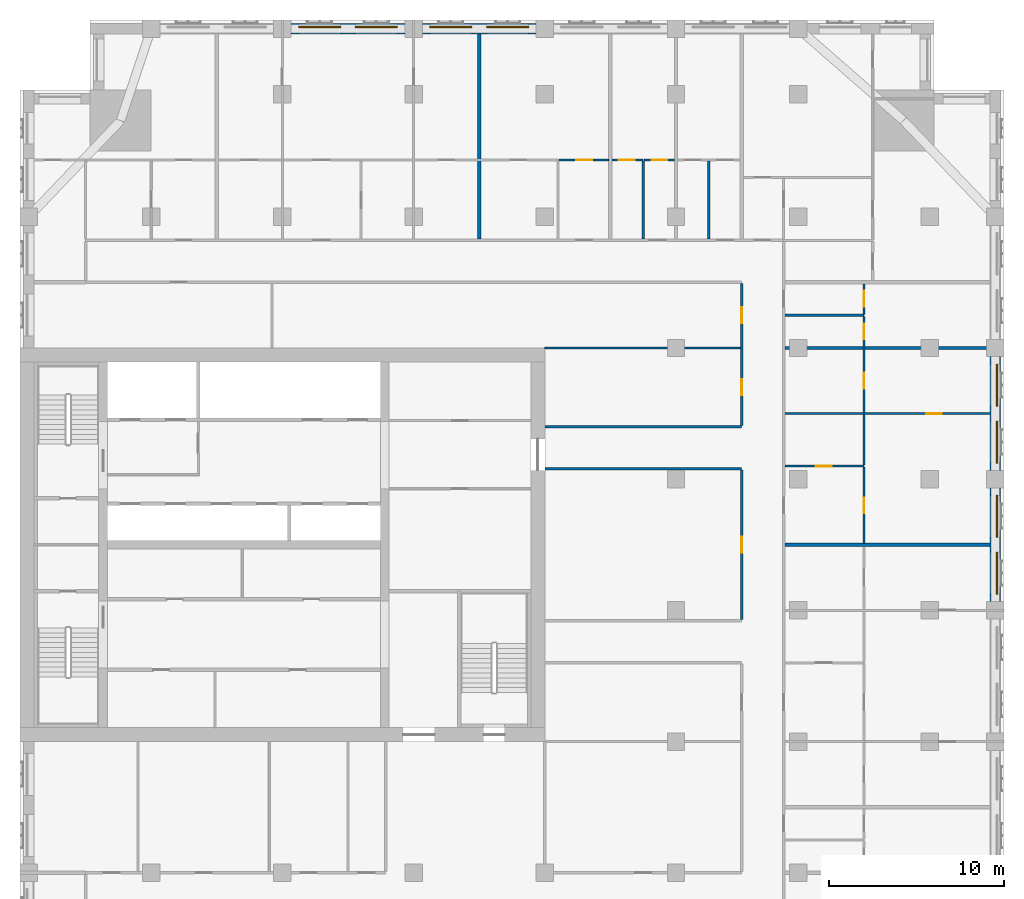
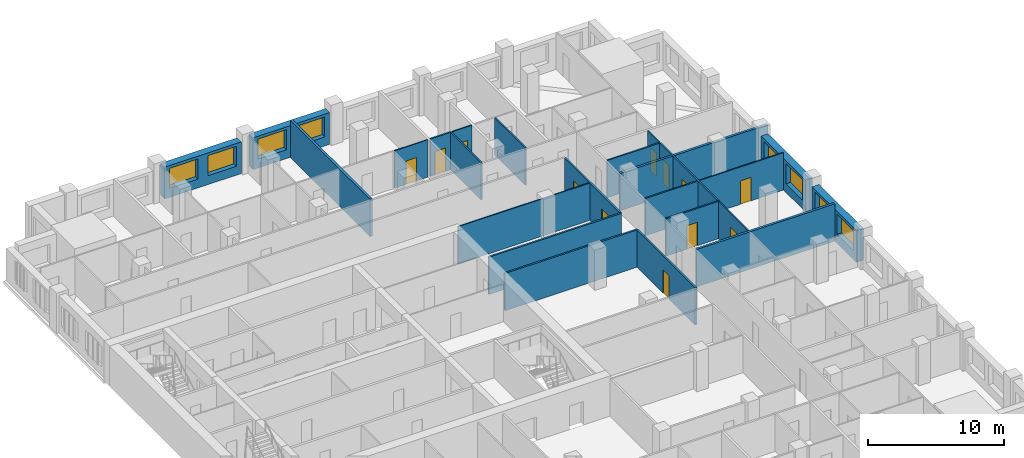
# One storey, part 10 of 14: 24 walls, 12 doors, 8 windows, 20 openings.
"""IFC4 building model written with IfcOpenShell, lengths in metres."""

from ifc_helpers import new_model, si_unit, direction, frame, frame_2d, origin, place, context, subcontext, project, spatial, rectangle, extrude, material, layer, layer_set, type_object, element, fill, save


model = new_model("IFC4")

# Units and contexts
model_context = context("Model", 3, precision=1e-05, world=origin(), true_north=direction((0.0, 1.0)))
body_context = subcontext(model_context, "Body", "Model", "MODEL_VIEW")
ifc_project = project(units=[si_unit("LENGTHUNIT", "METRE"), si_unit("AREAUNIT", "SQUARE_METRE"), si_unit("VOLUMEUNIT", "CUBIC_METRE"), si_unit("PLANEANGLEUNIT", "RADIAN"), si_unit("MASSUNIT", "GRAM", prefix="KILO")], contexts=[model_context])

# Site, building, storey
site_placement = place(None, origin())
site = spatial("IfcSite", under=ifc_project, at=site_placement, CompositionType="ELEMENT")
building_placement = place(site_placement, origin())
building = spatial("IfcBuilding", under=site, at=building_placement, Name="Tamorin Gate", CompositionType="ELEMENT")
storey_placement = place(building_placement, frame((0.0, 0.0, 151.800048828125)))
storey = spatial("IfcBuildingStorey", under=building, at=storey_placement, Name="L37", CompositionType="ELEMENT", Elevation=151.800048828125)

# Wall, openings, windows
ifc_material_1 = material(Name="Precast concrete C40/50", Category="concrete")
ifc_layer_1 = layer(ifc_material_1, 0.60009765625)
ifc_layer_set_1 = layer_set([ifc_layer_1], Name="Precast concrete C40/50")
wall_type_1 = type_object("IfcWallType", Name="Board-marked concrete facade panel 600", PredefinedType="SOLIDWALL", material=ifc_layer_set_1)
wall_1_placement = place(storey_placement, frame((85.75, 68.0, 0.0), z_axis=(0.0, 0.0, 1.0), x_axis=(0.0, 1.0, 0.0)))
wall_1 = element("IfcWall", 1, at=wall_1_placement, inside=storey, type_object=wall_type_1, Name="Facade panel", PredefinedType="SOLIDWALL", context=body_context, shape_type="SweptSolid", body=[
    extrude(rectangle(XDim=6.5, YDim=0.60009765625, at=frame_2d((3.25, 0.0))), origin(), (0.0, 0.0, 1.0), 2.849853515625),
])
opening_1_placement = place(wall_1_placement, frame((0.425048828125, 0.0, 0.800048828125)))
opening_1 = element("IfcOpeningElement", 2, at=opening_1_placement, cuts=wall_1, Name="Opening WN1", PredefinedType="OPENING", context=body_context, shape_type="SweptSolid", body=[
    extrude(rectangle(XDim=2.39990234375, YDim=1.800048828125, at=frame_2d((1.199951171875, 0.89990234375))), frame((0.0, 0.31005859375, 0.0), z_axis=(0.0, -1.0, 0.0), x_axis=(1.0, 0.0, 0.0)), (0.0, 0.0, 1.0), 0.6201171875),
])
opening_2_placement = place(wall_1_placement, frame((3.675048828125, 0.0, 0.800048828125)))
opening_2 = element("IfcOpeningElement", 3, at=opening_2_placement, cuts=wall_1, Name="Opening WN1", PredefinedType="OPENING", context=body_context, shape_type="SweptSolid", body=[
    extrude(rectangle(XDim=2.39990234375, YDim=1.800048828125, at=frame_2d((1.199951171875, 0.89990234375))), frame((0.0, 0.31005859375, 0.0), z_axis=(0.0, -1.0, 0.0), x_axis=(1.0, 0.0, 0.0)), (0.0, 0.0, 1.0), 0.6201171875),
])
ifc_material_2 = material(Name="Clear glass in aluminium frame", Category="aluminium")
window_type = type_object("IfcWindowType", Name="Deep-set window 2400x1800", PartitioningType="SINGLE_PANEL", PredefinedType="WINDOW", material=ifc_material_2)
window_1_placement = place(opening_1_placement, origin())
window_1 = element("IfcWindow", 4, at=window_1_placement, inside=storey, type_object=window_type, Name="Deep-set window", OverallHeight=1.800048828125, OverallWidth=2.39990234375, PartitioningType="SINGLE_PANEL", PredefinedType="WINDOW", context=body_context, shape_type="SweptSolid", body=[
    extrude(rectangle(XDim=2.39990234375, YDim=1.800048828125, at=frame_2d((1.199951171875, 0.89990234375))), frame((0.0, -0.070068359375, 0.0), z_axis=(0.0, -1.0, 0.0), x_axis=(1.0, 0.0, 0.0)), (0.0, 0.0, 1.0), 0.06005859375),
])
fill(opening_1, window_1)
window_2_placement = place(opening_2_placement, origin())
window_2 = element("IfcWindow", 5, at=window_2_placement, inside=storey, type_object=window_type, Name="Deep-set window", OverallHeight=1.800048828125, OverallWidth=2.39990234375, PartitioningType="SINGLE_PANEL", PredefinedType="WINDOW", context=body_context, shape_type="SweptSolid", body=[
    extrude(rectangle(XDim=2.39990234375, YDim=1.800048828125, at=frame_2d((1.199951171875, 0.89990234375))), frame((0.0, -0.070068359375, 0.0), z_axis=(0.0, -1.0, 0.0), x_axis=(1.0, 0.0, 0.0)), (0.0, 0.0, 1.0), 0.06005859375),
])
fill(opening_2, window_2)

wall_2_placement = place(storey_placement, frame((85.75, 75.5, 0.0), z_axis=(0.0, 0.0, 1.0), x_axis=(0.0, 1.0, 0.0)))
wall_2 = element("IfcWall", 6, at=wall_2_placement, inside=storey, type_object=wall_type_1, Name="Facade panel", PredefinedType="SOLIDWALL", context=body_context, shape_type="SweptSolid", body=[
    extrude(rectangle(XDim=6.5, YDim=0.60009765625, at=frame_2d((3.25, 0.0))), origin(), (0.0, 0.0, 1.0), 2.849853515625),
])
opening_3_placement = place(wall_2_placement, frame((0.425048828125, 0.0, 0.800048828125)))
opening_3 = element("IfcOpeningElement", 7, at=opening_3_placement, cuts=wall_2, Name="Opening WN1", PredefinedType="OPENING", context=body_context, shape_type="SweptSolid", body=[
    extrude(rectangle(XDim=2.39990234375, YDim=1.800048828125, at=frame_2d((1.199951171875, 0.89990234375))), frame((0.0, 0.31005859375, 0.0), z_axis=(0.0, -1.0, 0.0), x_axis=(1.0, 0.0, 0.0)), (0.0, 0.0, 1.0), 0.6201171875),
])
opening_4_placement = place(wall_2_placement, frame((3.675048828125, 0.0, 0.800048828125)))
opening_4 = element("IfcOpeningElement", 8, at=opening_4_placement, cuts=wall_2, Name="Opening WN1", PredefinedType="OPENING", context=body_context, shape_type="SweptSolid", body=[
    extrude(rectangle(XDim=2.39990234375, YDim=1.800048828125, at=frame_2d((1.199951171875, 0.89990234375))), frame((0.0, 0.31005859375, 0.0), z_axis=(0.0, -1.0, 0.0), x_axis=(1.0, 0.0, 0.0)), (0.0, 0.0, 1.0), 0.6201171875),
])
window_3_placement = place(opening_3_placement, origin())
window_3 = element("IfcWindow", 9, at=window_3_placement, inside=storey, type_object=window_type, Name="Deep-set window", OverallHeight=1.800048828125, OverallWidth=2.39990234375, PartitioningType="SINGLE_PANEL", PredefinedType="WINDOW", context=body_context, shape_type="SweptSolid", body=[
    extrude(rectangle(XDim=2.39990234375, YDim=1.800048828125, at=frame_2d((1.199951171875, 0.89990234375))), frame((0.0, -0.070068359375, 0.0), z_axis=(0.0, -1.0, 0.0), x_axis=(1.0, 0.0, 0.0)), (0.0, 0.0, 1.0), 0.06005859375),
])
fill(opening_3, window_3)
window_4_placement = place(opening_4_placement, origin())
window_4 = element("IfcWindow", 10, at=window_4_placement, inside=storey, type_object=window_type, Name="Deep-set window", OverallHeight=1.800048828125, OverallWidth=2.39990234375, PartitioningType="SINGLE_PANEL", PredefinedType="WINDOW", context=body_context, shape_type="SweptSolid", body=[
    extrude(rectangle(XDim=2.39990234375, YDim=1.800048828125, at=frame_2d((1.199951171875, 0.89990234375))), frame((0.0, -0.070068359375, 0.0), z_axis=(0.0, -1.0, 0.0), x_axis=(1.0, 0.0, 0.0)), (0.0, 0.0, 1.0), 0.06005859375),
])
fill(opening_4, window_4)

wall_3_placement = place(storey_placement, frame((59.5, 100.75, 0.0), z_axis=(0.0, 0.0, 1.0), x_axis=(-1.0, 0.0, 0.0)))
wall_3 = element("IfcWall", 11, at=wall_3_placement, inside=storey, type_object=wall_type_1, Name="Facade panel", PredefinedType="SOLIDWALL", context=body_context, shape_type="SweptSolid", body=[
    extrude(rectangle(XDim=6.5, YDim=0.60009765625, at=frame_2d((3.25, 0.0))), origin(), (0.0, 0.0, 1.0), 2.849853515625),
])
opening_5_placement = place(wall_3_placement, frame((3.675048828125, 0.0, 0.800048828125)))
opening_5 = element("IfcOpeningElement", 12, at=opening_5_placement, cuts=wall_3, Name="Opening WN1", PredefinedType="OPENING", context=body_context, shape_type="SweptSolid", body=[
    extrude(rectangle(XDim=2.39990234375, YDim=1.800048828125, at=frame_2d((1.199951171875, 0.89990234375))), frame((0.0, 0.31005859375, 0.0), z_axis=(0.0, -1.0, 0.0), x_axis=(1.0, 0.0, 0.0)), (0.0, 0.0, 1.0), 0.6201171875),
])
opening_6_placement = place(wall_3_placement, frame((0.425048828125, 0.0, 0.800048828125)))
opening_6 = element("IfcOpeningElement", 13, at=opening_6_placement, cuts=wall_3, Name="Opening WN1", PredefinedType="OPENING", context=body_context, shape_type="SweptSolid", body=[
    extrude(rectangle(XDim=2.39990234375, YDim=1.800048828125, at=frame_2d((1.199951171875, 0.89990234375))), frame((0.0, 0.31005859375, 0.0), z_axis=(0.0, -1.0, 0.0), x_axis=(1.0, 0.0, 0.0)), (0.0, 0.0, 1.0), 0.6201171875),
])
window_5_placement = place(opening_5_placement, origin())
window_5 = element("IfcWindow", 14, at=window_5_placement, inside=storey, type_object=window_type, Name="Deep-set window", OverallHeight=1.800048828125, OverallWidth=2.39990234375, PartitioningType="SINGLE_PANEL", PredefinedType="WINDOW", context=body_context, shape_type="SweptSolid", body=[
    extrude(rectangle(XDim=2.39990234375, YDim=1.800048828125, at=frame_2d((1.199951171875, 0.89990234375))), frame((0.0, -0.070068359375, 0.0), z_axis=(0.0, -1.0, 0.0), x_axis=(1.0, 0.0, 0.0)), (0.0, 0.0, 1.0), 0.06005859375),
])
fill(opening_5, window_5)
window_6_placement = place(opening_6_placement, origin())
window_6 = element("IfcWindow", 15, at=window_6_placement, inside=storey, type_object=window_type, Name="Deep-set window", OverallHeight=1.800048828125, OverallWidth=2.39990234375, PartitioningType="SINGLE_PANEL", PredefinedType="WINDOW", context=body_context, shape_type="SweptSolid", body=[
    extrude(rectangle(XDim=2.39990234375, YDim=1.800048828125, at=frame_2d((1.199951171875, 0.89990234375))), frame((0.0, -0.070068359375, 0.0), z_axis=(0.0, -1.0, 0.0), x_axis=(1.0, 0.0, 0.0)), (0.0, 0.0, 1.0), 0.06005859375),
])
fill(opening_6, window_6)

wall_4_placement = place(storey_placement, frame((52.0, 100.75, 0.0), z_axis=(0.0, 0.0, 1.0), x_axis=(-1.0, 0.0, 0.0)))
wall_4 = element("IfcWall", 16, at=wall_4_placement, inside=storey, type_object=wall_type_1, Name="Facade panel", PredefinedType="SOLIDWALL", context=body_context, shape_type="SweptSolid", body=[
    extrude(rectangle(XDim=6.5, YDim=0.60009765625, at=frame_2d((3.25, 0.0))), origin(), (0.0, 0.0, 1.0), 2.849853515625),
])
opening_7_placement = place(wall_4_placement, frame((3.675048828125, 0.0, 0.800048828125)))
opening_7 = element("IfcOpeningElement", 17, at=opening_7_placement, cuts=wall_4, Name="Opening WN1", PredefinedType="OPENING", context=body_context, shape_type="SweptSolid", body=[
    extrude(rectangle(XDim=2.39990234375, YDim=1.800048828125, at=frame_2d((1.199951171875, 0.89990234375))), frame((0.0, 0.31005859375, 0.0), z_axis=(0.0, -1.0, 0.0), x_axis=(1.0, 0.0, 0.0)), (0.0, 0.0, 1.0), 0.6201171875),
])
opening_8_placement = place(wall_4_placement, frame((0.425048828125, 0.0, 0.800048828125)))
opening_8 = element("IfcOpeningElement", 18, at=opening_8_placement, cuts=wall_4, Name="Opening WN1", PredefinedType="OPENING", context=body_context, shape_type="SweptSolid", body=[
    extrude(rectangle(XDim=2.39990234375, YDim=1.800048828125, at=frame_2d((1.199951171875, 0.89990234375))), frame((0.0, 0.31005859375, 0.0), z_axis=(0.0, -1.0, 0.0), x_axis=(1.0, 0.0, 0.0)), (0.0, 0.0, 1.0), 0.6201171875),
])
window_7_placement = place(opening_7_placement, origin())
window_7 = element("IfcWindow", 19, at=window_7_placement, inside=storey, type_object=window_type, Name="Deep-set window", OverallHeight=1.800048828125, OverallWidth=2.39990234375, PartitioningType="SINGLE_PANEL", PredefinedType="WINDOW", context=body_context, shape_type="SweptSolid", body=[
    extrude(rectangle(XDim=2.39990234375, YDim=1.800048828125, at=frame_2d((1.199951171875, 0.89990234375))), frame((0.0, -0.070068359375, 0.0), z_axis=(0.0, -1.0, 0.0), x_axis=(1.0, 0.0, 0.0)), (0.0, 0.0, 1.0), 0.06005859375),
])
fill(opening_7, window_7)
window_8_placement = place(opening_8_placement, origin())
window_8 = element("IfcWindow", 20, at=window_8_placement, inside=storey, type_object=window_type, Name="Deep-set window", OverallHeight=1.800048828125, OverallWidth=2.39990234375, PartitioningType="SINGLE_PANEL", PredefinedType="WINDOW", context=body_context, shape_type="SweptSolid", body=[
    extrude(rectangle(XDim=2.39990234375, YDim=1.800048828125, at=frame_2d((1.199951171875, 0.89990234375))), frame((0.0, -0.070068359375, 0.0), z_axis=(0.0, -1.0, 0.0), x_axis=(1.0, 0.0, 0.0)), (0.0, 0.0, 1.0), 0.06005859375),
])
fill(opening_8, window_8)

# Wall, opening, door
ifc_material_3 = material(Name="Gypsum board partition")
ifc_layer_2 = layer(ifc_material_3, 0.14990234375)
ifc_layer_set_2 = layer_set([ifc_layer_2], Name="Corridor wall 150")
wall_type_2 = type_object("IfcWallType", Name="Corridor wall 150", PredefinedType="PARTITIONING", material=ifc_layer_set_2)
wall_5_placement = place(storey_placement, frame((71.25, 66.97509765625, 0.0), z_axis=(0.0, 0.0, 1.0), x_axis=(0.0, 1.0, 0.0)))
wall_5 = element("IfcWall", 21, at=wall_5_placement, inside=storey, type_object=wall_type_2, Name="Corridor wall 150", PredefinedType="PARTITIONING", context=body_context, shape_type="SweptSolid", body=[
    extrude(rectangle(XDim=8.5498046875, YDim=0.14990234375, at=frame_2d((4.27490234375, 0.0))), origin(), (0.0, 0.0, 1.0), 3.349853515625),
])
opening_9_placement = place(wall_5_placement, frame((3.824951171875, 0.0, 0.0)))
opening_9 = element("IfcOpeningElement", 22, at=opening_9_placement, cuts=wall_5, Name="Opening DS3076", PredefinedType="OPENING", context=body_context, shape_type="SweptSolid", body=[
    extrude(rectangle(XDim=0.89990234375, YDim=2.10009765625, at=frame_2d((0.449951171875, 1.050048828125))), frame((0.0, 0.0849609375, 0.0), z_axis=(0.0, -1.0, 0.0), x_axis=(1.0, 0.0, 0.0)), (0.0, 0.0, 1.0), 0.169921875),
])
ifc_material_4 = material(Name="Timber door leaf", Category="wood")
door_type_1 = type_object("IfcDoorType", Name="Door 900 x 2100 FD30S", OperationType="NOTDEFINED", PredefinedType="DOOR", material=ifc_material_4)
door_1_placement = place(opening_9_placement, origin())
door_1 = element("IfcDoor", 23, at=door_1_placement, inside=storey, type_object=door_type_1, Name="Door DS3076", OperationType="SINGLE_SWING_LEFT", OverallHeight=2.10009765625, OverallWidth=0.89990234375, PredefinedType="DOOR", context=body_context, shape_type="SweptSolid", body=[
    extrude(rectangle(XDim=0.89990234375, YDim=2.10009765625, at=frame_2d((0.449951171875, 1.050048828125))), frame((0.0, 0.02490234375, 0.0), z_axis=(0.0, -1.0, 0.0), x_axis=(1.0, 0.0, 0.0)), (0.0, 0.0, 1.0), 0.050048828125),
])
fill(opening_9, door_1)

# Wall, openings, doors
wall_6_placement = place(storey_placement, frame((71.25, 78.074951171875, 0.0), z_axis=(0.0, 0.0, 1.0), x_axis=(0.0, 1.0, 0.0)))
wall_6 = element("IfcWall", 24, at=wall_6_placement, inside=storey, type_object=wall_type_2, Name="Corridor wall 150", PredefinedType="PARTITIONING", context=body_context, shape_type="SweptSolid", body=[
    extrude(rectangle(XDim=8.10009765625, YDim=0.14990234375, at=frame_2d((4.050048828125, 0.0))), origin(), (0.0, 0.0, 1.0), 3.349853515625),
])
opening_10_placement = place(wall_6_placement, frame((5.85009765625, 0.0, 0.0)))
opening_10 = element("IfcOpeningElement", 25, at=opening_10_placement, cuts=wall_6, Name="Opening DS3074", PredefinedType="OPENING", context=body_context, shape_type="SweptSolid", body=[
    extrude(rectangle(XDim=0.89990234375, YDim=2.10009765625, at=frame_2d((0.449951171875, 1.050048828125))), frame((0.0, 0.0849609375, 0.0), z_axis=(0.0, -1.0, 0.0), x_axis=(1.0, 0.0, 0.0)), (0.0, 0.0, 1.0), 0.169921875),
])
opening_11_placement = place(wall_6_placement, frame((1.72509765625, 0.0, 0.0)))
opening_11 = element("IfcOpeningElement", 26, at=opening_11_placement, cuts=wall_6, Name="Opening DS3077", PredefinedType="OPENING", context=body_context, shape_type="SweptSolid", body=[
    extrude(rectangle(XDim=0.89990234375, YDim=2.10009765625, at=frame_2d((0.449951171875, 1.050048828125))), frame((0.0, 0.0849609375, 0.0), z_axis=(0.0, -1.0, 0.0), x_axis=(1.0, 0.0, 0.0)), (0.0, 0.0, 1.0), 0.169921875),
])
door_2_placement = place(opening_10_placement, origin())
door_2 = element("IfcDoor", 27, at=door_2_placement, inside=storey, type_object=door_type_1, Name="Door DS3074", OperationType="SINGLE_SWING_LEFT", OverallHeight=2.10009765625, OverallWidth=0.89990234375, PredefinedType="DOOR", context=body_context, shape_type="SweptSolid", body=[
    extrude(rectangle(XDim=0.89990234375, YDim=2.10009765625, at=frame_2d((0.449951171875, 1.050048828125))), frame((0.0, 0.02490234375, 0.0), z_axis=(0.0, -1.0, 0.0), x_axis=(1.0, 0.0, 0.0)), (0.0, 0.0, 1.0), 0.050048828125),
])
fill(opening_10, door_2)
door_3_placement = place(opening_11_placement, origin())
door_3 = element("IfcDoor", 28, at=door_3_placement, inside=storey, type_object=door_type_1, Name="Door DS3077", OperationType="SINGLE_SWING_LEFT", OverallHeight=2.10009765625, OverallWidth=0.89990234375, PredefinedType="DOOR", context=body_context, shape_type="SweptSolid", body=[
    extrude(rectangle(XDim=0.89990234375, YDim=2.10009765625, at=frame_2d((0.449951171875, 1.050048828125))), frame((0.0, 0.02490234375, 0.0), z_axis=(0.0, -1.0, 0.0), x_axis=(1.0, 0.0, 0.0)), (0.0, 0.0, 1.0), 0.050048828125),
])
fill(opening_11, door_3)

# Walls
ifc_layer_3 = layer(ifc_material_3, 0.199951171875)
ifc_layer_set_3 = layer_set([ifc_layer_3], Name="Demising wall 200")
wall_type_3 = type_object("IfcWallType", Name="Demising wall 200", PredefinedType="PARTITIONING", material=ifc_layer_set_3)
wall_7_placement = place(storey_placement, frame((73.72509765625, 71.25, 0.0), z_axis=(0.0, 0.0, 1.0), x_axis=(1.0, 0.0, 0.0)))
element("IfcWall", 29, at=wall_7_placement, inside=storey, type_object=wall_type_3, Name="Demising wall 200", PredefinedType="PARTITIONING", context=body_context, shape_type="SweptSolid", body=[
    extrude(rectangle(XDim=11.71484375, YDim=0.199951171875, at=frame_2d((5.857421875, 0.0))), origin(), (0.0, 0.0, 1.0), 3.349853515625),
])
wall_8_placement = place(storey_placement, frame((73.72509765625, 82.5, 0.0), z_axis=(0.0, 0.0, 1.0), x_axis=(1.0, 0.0, 0.0)))
element("IfcWall", 30, at=wall_8_placement, inside=storey, type_object=wall_type_3, Name="Demising wall 200", PredefinedType="PARTITIONING", context=body_context, shape_type="SweptSolid", body=[
    extrude(rectangle(XDim=12.52490234375, YDim=0.199951171875, at=frame_2d((6.262451171875, 0.0))), origin(), (0.0, 0.0, 1.0), 3.349853515625),
])
wall_9_placement = place(storey_placement, frame((56.25, 88.72509765625, 0.0), z_axis=(0.0, 0.0, 1.0), x_axis=(0.0, 1.0, 0.0)))
element("IfcWall", 31, at=wall_9_placement, inside=storey, type_object=wall_type_3, Name="Demising wall 200", PredefinedType="PARTITIONING", context=body_context, shape_type="SweptSolid", body=[
    extrude(rectangle(XDim=11.71484375, YDim=0.199951171875, at=frame_2d((5.857421875, 0.0))), origin(), (0.0, 0.0, 1.0), 3.349853515625),
])
ifc_layer_4 = layer(ifc_material_3, 0.14990234375)
ifc_layer_set_4 = layer_set([ifc_layer_4], Name="Lobby wall 150")
wall_type_4 = type_object("IfcWallType", Name="Lobby wall 150", PredefinedType="PARTITIONING", material=ifc_layer_set_4)
for number, where, z_axis, x_axis, name in (
    (32, (60.0, 75.60009765625, 0.0), (0.0, 0.0, 1.0), (1.0, 0.0, 0.0), "Lobby wall 150"),
    (33, (60.0, 78.0, 0.0), (0.0, 0.0, 1.0), (1.0, 0.0, 0.0), "Lobby wall 150"),
):
    element("IfcWall", number, at=place(storey_placement, frame(where, z_axis=z_axis, x_axis=x_axis)), inside=storey, type_object=wall_type_4, Name=name, PredefinedType="PARTITIONING", context=body_context, shape_type="SweptSolid", body=[
        extrude(rectangle(XDim=11.25, YDim=0.14990234375, at=frame_2d((5.625, 0.0))), origin(), (0.0, 0.0, 1.0), 3.349853515625),
    ])

# Wall, opening, door
ifc_layer_5 = layer(ifc_material_3, 0.10009765625)
ifc_layer_set_5 = layer_set([ifc_layer_5], Name="Room partition 100")
wall_type_5 = type_object("IfcWallType", Name="Room partition 100", PredefinedType="PARTITIONING", material=ifc_layer_set_5)
wall_10_placement = place(storey_placement, frame((78.3125, 78.75, 0.0), z_axis=(0.0, 0.0, 1.0), x_axis=(1.0, 0.0, 0.0)))
wall_10 = element("IfcWall", 34, at=wall_10_placement, inside=storey, type_object=wall_type_5, Name="Room partition 100", PredefinedType="PARTITIONING", context=body_context, shape_type="SweptSolid", body=[
    extrude(rectangle(XDim=7.12744140625, YDim=0.10009765625, at=frame_2d((3.563720703125, 0.0))), origin(), (0.0, 0.0, 1.0), 3.349853515625),
])
opening_12_placement = place(wall_10_placement, frame((3.487548828125, 0.0, 0.0)))
opening_12 = element("IfcOpeningElement", 35, at=opening_12_placement, cuts=wall_10, Name="Opening DS3052", PredefinedType="OPENING", context=body_context, shape_type="SweptSolid", body=[
    extrude(rectangle(XDim=0.89990234375, YDim=2.10009765625, at=frame_2d((0.449951171875, 1.050048828125))), frame((0.0, 0.06005859375, 0.0), z_axis=(0.0, -1.0, 0.0), x_axis=(1.0, 0.0, 0.0)), (0.0, 0.0, 1.0), 0.1201171875),
])
door_type_2 = type_object("IfcDoorType", Name="Door 900 x 2100", OperationType="NOTDEFINED", PredefinedType="DOOR", material=ifc_material_4)
door_4_placement = place(opening_12_placement, origin())
door_4 = element("IfcDoor", 36, at=door_4_placement, inside=storey, type_object=door_type_2, Name="Door DS3052", OperationType="SINGLE_SWING_RIGHT", OverallHeight=2.10009765625, OverallWidth=0.89990234375, PredefinedType="DOOR", context=body_context, shape_type="SweptSolid", body=[
    extrude(rectangle(XDim=0.89990234375, YDim=2.10009765625, at=frame_2d((0.449951171875, 1.050048828125))), frame((0.0, 0.02490234375, 0.0), z_axis=(0.0, -1.0, 0.0), x_axis=(1.0, 0.0, 0.0)), (0.0, 0.0, 1.0), 0.050048828125),
])
fill(opening_12, door_4)

# Wall
wall_11_placement = place(storey_placement, frame((60.0, 82.5, 0.0), z_axis=(0.0, 0.0, 1.0), x_axis=(1.0, 0.0, 0.0)))
element("IfcWall", 37, at=wall_11_placement, inside=storey, type_object=wall_type_5, Name="Room partition 100", PredefinedType="PARTITIONING", context=body_context, shape_type="SweptSolid", body=[
    extrude(rectangle(XDim=11.175048828125, YDim=0.10009765625, at=frame_2d((5.58740234375, 0.0))), origin(), (0.0, 0.0, 1.0), 3.349853515625),
])

# Wall, opening, door
wall_12_placement = place(storey_placement, frame((60.8125, 93.25, 0.0), z_axis=(0.0, 0.0, 1.0), x_axis=(1.0, 0.0, 0.0)))
wall_12 = element("IfcWall", 38, at=wall_12_placement, inside=storey, type_object=wall_type_5, Name="Room partition 100", PredefinedType="PARTITIONING", context=body_context, shape_type="SweptSolid", body=[
    extrude(rectangle(XDim=2.83740234375, YDim=0.10009765625, at=frame_2d((1.418701171875, 0.0))), origin(), (0.0, 0.0, 1.0), 3.349853515625),
])
opening_13_placement = place(wall_12_placement, frame((0.987548828125, 0.0, 0.0)))
opening_13 = element("IfcOpeningElement", 39, at=opening_13_placement, cuts=wall_12, Name="Opening DS3031", PredefinedType="OPENING", context=body_context, shape_type="SweptSolid", body=[
    extrude(rectangle(XDim=0.89990234375, YDim=2.10009765625, at=frame_2d((0.449951171875, 1.050048828125))), frame((0.0, 0.06005859375, 0.0), z_axis=(0.0, -1.0, 0.0), x_axis=(1.0, 0.0, 0.0)), (0.0, 0.0, 1.0), 0.1201171875),
])
door_5_placement = place(opening_13_placement, origin())
door_5 = element("IfcDoor", 40, at=door_5_placement, inside=storey, type_object=door_type_2, Name="Door DS3031", OperationType="SINGLE_SWING_RIGHT", OverallHeight=2.10009765625, OverallWidth=0.89990234375, PredefinedType="DOOR", context=body_context, shape_type="SweptSolid", body=[
    extrude(rectangle(XDim=0.89990234375, YDim=2.10009765625, at=frame_2d((0.449951171875, 1.050048828125))), frame((0.0, 0.02490234375, 0.0), z_axis=(0.0, -1.0, 0.0), x_axis=(1.0, 0.0, 0.0)), (0.0, 0.0, 1.0), 0.050048828125),
])
fill(opening_13, door_5)

wall_13_placement = place(storey_placement, frame((65.6875, 93.25, 0.0), z_axis=(0.0, 0.0, 1.0), x_axis=(1.0, 0.0, 0.0)))
wall_13 = element("IfcWall", 41, at=wall_13_placement, inside=storey, type_object=wall_type_5, Name="Room partition 100", PredefinedType="PARTITIONING", context=body_context, shape_type="SweptSolid", body=[
    extrude(rectangle(XDim=1.71240234375, YDim=0.10009765625, at=frame_2d((0.856201171875, 0.0))), origin(), (0.0, 0.0, 1.0), 3.349853515625),
])
opening_14_placement = place(wall_13_placement, frame((0.425048828125, 0.0, 0.0)))
opening_14 = element("IfcOpeningElement", 42, at=opening_14_placement, cuts=wall_13, Name="Opening DS3034", PredefinedType="OPENING", context=body_context, shape_type="SweptSolid", body=[
    extrude(rectangle(XDim=0.89990234375, YDim=2.10009765625, at=frame_2d((0.449951171875, 1.050048828125))), frame((0.0, 0.06005859375, 0.0), z_axis=(0.0, -1.0, 0.0), x_axis=(1.0, 0.0, 0.0)), (0.0, 0.0, 1.0), 0.1201171875),
])
door_6_placement = place(opening_14_placement, origin())
door_6 = element("IfcDoor", 43, at=door_6_placement, inside=storey, type_object=door_type_2, Name="Door DS3034", OperationType="SINGLE_SWING_RIGHT", OverallHeight=2.10009765625, OverallWidth=0.89990234375, PredefinedType="DOOR", context=body_context, shape_type="SweptSolid", body=[
    extrude(rectangle(XDim=0.89990234375, YDim=2.10009765625, at=frame_2d((0.449951171875, 1.050048828125))), frame((0.0, 0.02490234375, 0.0), z_axis=(0.0, -1.0, 0.0), x_axis=(1.0, 0.0, 0.0)), (0.0, 0.0, 1.0), 0.050048828125),
])
fill(opening_14, door_6)

wall_14_placement = place(storey_placement, frame((78.25, 71.35009765625, 0.0), z_axis=(0.0, 0.0, 1.0), x_axis=(0.0, 1.0, 0.0)))
wall_14 = element("IfcWall", 44, at=wall_14_placement, inside=storey, type_object=wall_type_5, Name="Room partition 100", PredefinedType="PARTITIONING", context=body_context, shape_type="SweptSolid", body=[
    extrude(rectangle(XDim=4.33740234375, YDim=0.10009765625, at=frame_2d((2.168701171875, 0.0))), origin(), (0.0, 0.0, 1.0), 3.349853515625),
])
opening_15_placement = place(wall_14_placement, frame((1.699951171875, 0.0, 0.0)))
opening_15 = element("IfcOpeningElement", 45, at=opening_15_placement, cuts=wall_14, Name="Opening DS3049", PredefinedType="OPENING", context=body_context, shape_type="SweptSolid", body=[
    extrude(rectangle(XDim=0.89990234375, YDim=2.10009765625, at=frame_2d((0.449951171875, 1.050048828125))), frame((0.0, 0.06005859375, 0.0), z_axis=(0.0, -1.0, 0.0), x_axis=(1.0, 0.0, 0.0)), (0.0, 0.0, 1.0), 0.1201171875),
])
door_7_placement = place(opening_15_placement, origin())
door_7 = element("IfcDoor", 46, at=door_7_placement, inside=storey, type_object=door_type_2, Name="Door DS3049", OperationType="SINGLE_SWING_LEFT", OverallHeight=2.10009765625, OverallWidth=0.89990234375, PredefinedType="DOOR", context=body_context, shape_type="SweptSolid", body=[
    extrude(rectangle(XDim=0.89990234375, YDim=2.10009765625, at=frame_2d((0.449951171875, 1.050048828125))), frame((0.0, 0.02490234375, 0.0), z_axis=(0.0, -1.0, 0.0), x_axis=(1.0, 0.0, 0.0)), (0.0, 0.0, 1.0), 0.050048828125),
])
fill(opening_15, door_7)

wall_15_placement = place(storey_placement, frame((78.25, 84.4375, 0.0), z_axis=(0.0, 0.0, 1.0), x_axis=(0.0, 1.0, 0.0)))
wall_15 = element("IfcWall", 47, at=wall_15_placement, inside=storey, type_object=wall_type_5, Name="Room partition 100", PredefinedType="PARTITIONING", context=body_context, shape_type="SweptSolid", body=[
    extrude(rectangle(XDim=1.71240234375, YDim=0.10009765625, at=frame_2d((0.856201171875, 0.0))), origin(), (0.0, 0.0, 1.0), 3.349853515625),
])
opening_16_placement = place(wall_15_placement, frame((0.425048828125, 0.0, 0.0)))
opening_16 = element("IfcOpeningElement", 48, at=opening_16_placement, cuts=wall_15, Name="Opening DS3055", PredefinedType="OPENING", context=body_context, shape_type="SweptSolid", body=[
    extrude(rectangle(XDim=0.89990234375, YDim=2.10009765625, at=frame_2d((0.449951171875, 1.050048828125))), frame((0.0, 0.06005859375, 0.0), z_axis=(0.0, -1.0, 0.0), x_axis=(1.0, 0.0, 0.0)), (0.0, 0.0, 1.0), 0.1201171875),
])
door_8_placement = place(opening_16_placement, origin())
door_8 = element("IfcDoor", 49, at=door_8_placement, inside=storey, type_object=door_type_2, Name="Door DS3055", OperationType="SINGLE_SWING_LEFT", OverallHeight=2.10009765625, OverallWidth=0.89990234375, PredefinedType="DOOR", context=body_context, shape_type="SweptSolid", body=[
    extrude(rectangle(XDim=0.89990234375, YDim=2.10009765625, at=frame_2d((0.449951171875, 1.050048828125))), frame((0.0, 0.02490234375, 0.0), z_axis=(0.0, -1.0, 0.0), x_axis=(1.0, 0.0, 0.0)), (0.0, 0.0, 1.0), 0.050048828125),
])
fill(opening_16, door_8)

ifc_layer_6 = layer(ifc_material_3, 0.125)
ifc_layer_set_6 = layer_set([ifc_layer_6], Name="Wet wall 125")
wall_type_6 = type_object("IfcWallType", Name="Wet wall 125", PredefinedType="PARTITIONING", material=ifc_layer_set_6)
wall_16_placement = place(storey_placement, frame((73.72509765625, 75.75, 0.0), z_axis=(0.0, 0.0, 1.0), x_axis=(1.0, 0.0, 0.0)))
wall_16 = element("IfcWall", 50, at=wall_16_placement, inside=storey, type_object=wall_type_6, Name="Wet wall 125", PredefinedType="PARTITIONING", context=body_context, shape_type="SweptSolid", body=[
    extrude(rectangle(XDim=4.52490234375, YDim=0.125, at=frame_2d((2.262451171875, 0.0))), origin(), (0.0, 0.0, 1.0), 3.349853515625),
])
opening_17_placement = place(wall_16_placement, frame((1.77490234375, 0.0, 0.0)))
opening_17 = element("IfcOpeningElement", 51, at=opening_17_placement, cuts=wall_16, Name="Opening DS3050", PredefinedType="OPENING", context=body_context, shape_type="SweptSolid", body=[
    extrude(rectangle(XDim=0.89990234375, YDim=2.10009765625, at=frame_2d((0.449951171875, 1.050048828125))), frame((0.0, 0.072509765625, 0.0), z_axis=(0.0, -1.0, 0.0), x_axis=(1.0, 0.0, 0.0)), (0.0, 0.0, 1.0), 0.14501953125),
])
door_9_placement = place(opening_17_placement, origin())
door_9 = element("IfcDoor", 52, at=door_9_placement, inside=storey, type_object=door_type_2, Name="Door DS3050", OperationType="SINGLE_SWING_RIGHT", OverallHeight=2.10009765625, OverallWidth=0.89990234375, PredefinedType="DOOR", context=body_context, shape_type="SweptSolid", body=[
    extrude(rectangle(XDim=0.89990234375, YDim=2.10009765625, at=frame_2d((0.449951171875, 1.050048828125))), frame((0.0, 0.02490234375, 0.0), z_axis=(0.0, -1.0, 0.0), x_axis=(1.0, 0.0, 0.0)), (0.0, 0.0, 1.0), 0.050048828125),
])
fill(opening_17, door_9)

# Walls
wall_17_placement = place(storey_placement, frame((73.72509765625, 78.75, 0.0), z_axis=(0.0, 0.0, 1.0), x_axis=(1.0, 0.0, 0.0)))
element("IfcWall", 53, at=wall_17_placement, inside=storey, type_object=wall_type_6, Name="Wet wall 125", PredefinedType="PARTITIONING", context=body_context, shape_type="SweptSolid", body=[
    extrude(rectangle(XDim=4.46240234375, YDim=0.125, at=frame_2d((2.231201171875, 0.0))), origin(), (0.0, 0.0, 1.0), 3.349853515625),
])
wall_18_placement = place(storey_placement, frame((73.72509765625, 84.375, 0.0), z_axis=(0.0, 0.0, 1.0), x_axis=(1.0, 0.0, 0.0)))
element("IfcWall", 54, at=wall_18_placement, inside=storey, type_object=wall_type_6, Name="Wet wall 125", PredefinedType="PARTITIONING", context=body_context, shape_type="SweptSolid", body=[
    extrude(rectangle(XDim=4.52490234375, YDim=0.125, at=frame_2d((2.262451171875, 0.0))), origin(), (0.0, 0.0, 1.0), 3.349853515625),
])

# Wall, opening, door
wall_19_placement = place(storey_placement, frame((63.85009765625, 93.25, 0.0), z_axis=(0.0, 0.0, 1.0), x_axis=(1.0, 0.0, 0.0)))
wall_19 = element("IfcWall", 55, at=wall_19_placement, inside=storey, type_object=wall_type_6, Name="Wet wall 125", PredefinedType="PARTITIONING", context=body_context, shape_type="SweptSolid", body=[
    extrude(rectangle(XDim=1.77490234375, YDim=0.125, at=frame_2d((0.887451171875, 0.0))), origin(), (0.0, 0.0, 1.0), 3.349853515625),
])
opening_18_placement = place(wall_19_placement, frame((0.387451171875, 0.0, 0.0)))
opening_18 = element("IfcOpeningElement", 56, at=opening_18_placement, cuts=wall_19, Name="Opening DS3032", PredefinedType="OPENING", context=body_context, shape_type="SweptSolid", body=[
    extrude(rectangle(XDim=0.89990234375, YDim=2.10009765625, at=frame_2d((0.449951171875, 1.050048828125))), frame((0.0, 0.072509765625, 0.0), z_axis=(0.0, -1.0, 0.0), x_axis=(1.0, 0.0, 0.0)), (0.0, 0.0, 1.0), 0.14501953125),
])
door_10_placement = place(opening_18_placement, origin())
door_10 = element("IfcDoor", 57, at=door_10_placement, inside=storey, type_object=door_type_2, Name="Door DS3032", OperationType="SINGLE_SWING_RIGHT", OverallHeight=2.10009765625, OverallWidth=0.89990234375, PredefinedType="DOOR", context=body_context, shape_type="SweptSolid", body=[
    extrude(rectangle(XDim=0.89990234375, YDim=2.10009765625, at=frame_2d((0.449951171875, 1.050048828125))), frame((0.0, 0.02490234375, 0.0), z_axis=(0.0, -1.0, 0.0), x_axis=(1.0, 0.0, 0.0)), (0.0, 0.0, 1.0), 0.050048828125),
])
fill(opening_18, door_10)

# Walls
for number, where, z_axis, x_axis, name in (
    (58, (65.625, 88.72509765625, 0.0), (0.0, 0.0, 1.0), (0.0, 1.0, 0.0), "Wet wall 125"),
    (59, (69.375, 88.72509765625, 0.0), (0.0, 0.0, 1.0), (0.0, 1.0, 0.0), "Wet wall 125"),
):
    element("IfcWall", number, at=place(storey_placement, frame(where, z_axis=z_axis, x_axis=x_axis)), inside=storey, type_object=wall_type_6, Name=name, PredefinedType="PARTITIONING", context=body_context, shape_type="SweptSolid", body=[
        extrude(rectangle(XDim=4.46240234375, YDim=0.125, at=frame_2d((2.231201171875, 0.0))), origin(), (0.0, 0.0, 1.0), 3.349853515625),
    ])

# Wall, openings, doors
wall_20_placement = place(storey_placement, frame((78.25, 75.8125, 0.0), z_axis=(0.0, 0.0, 1.0), x_axis=(0.0, 1.0, 0.0)))
wall_20 = element("IfcWall", 60, at=wall_20_placement, inside=storey, type_object=wall_type_6, Name="Wet wall 125", PredefinedType="PARTITIONING", context=body_context, shape_type="SweptSolid", body=[
    extrude(rectangle(XDim=8.5, YDim=0.125, at=frame_2d((4.25, 0.0))), origin(), (0.0, 0.0, 1.0), 3.349853515625),
])
opening_19_placement = place(wall_20_placement, frame((4.362548828125, 0.0, 0.0)))
opening_19 = element("IfcOpeningElement", 61, at=opening_19_placement, cuts=wall_20, Name="Opening DS3051", PredefinedType="OPENING", context=body_context, shape_type="SweptSolid", body=[
    extrude(rectangle(XDim=0.89990234375, YDim=2.10009765625, at=frame_2d((0.449951171875, 1.050048828125))), frame((0.0, 0.072509765625, 0.0), z_axis=(0.0, -1.0, 0.0), x_axis=(1.0, 0.0, 0.0)), (0.0, 0.0, 1.0), 0.14501953125),
])
opening_20_placement = place(wall_20_placement, frame((7.175048828125, 0.0, 0.0)))
opening_20 = element("IfcOpeningElement", 62, at=opening_20_placement, cuts=wall_20, Name="Opening DS3053", PredefinedType="OPENING", context=body_context, shape_type="SweptSolid", body=[
    extrude(rectangle(XDim=0.89990234375, YDim=2.10009765625, at=frame_2d((0.449951171875, 1.050048828125))), frame((0.0, 0.072509765625, 0.0), z_axis=(0.0, -1.0, 0.0), x_axis=(1.0, 0.0, 0.0)), (0.0, 0.0, 1.0), 0.14501953125),
])
door_11_placement = place(opening_19_placement, origin())
door_11 = element("IfcDoor", 63, at=door_11_placement, inside=storey, type_object=door_type_2, Name="Door DS3051", OperationType="SINGLE_SWING_LEFT", OverallHeight=2.10009765625, OverallWidth=0.89990234375, PredefinedType="DOOR", context=body_context, shape_type="SweptSolid", body=[
    extrude(rectangle(XDim=0.89990234375, YDim=2.10009765625, at=frame_2d((0.449951171875, 1.050048828125))), frame((0.0, 0.02490234375, 0.0), z_axis=(0.0, -1.0, 0.0), x_axis=(1.0, 0.0, 0.0)), (0.0, 0.0, 1.0), 0.050048828125),
])
fill(opening_19, door_11)
door_12_placement = place(opening_20_placement, origin())
door_12 = element("IfcDoor", 64, at=door_12_placement, inside=storey, type_object=door_type_2, Name="Door DS3053", OperationType="SINGLE_SWING_LEFT", OverallHeight=2.10009765625, OverallWidth=0.89990234375, PredefinedType="DOOR", context=body_context, shape_type="SweptSolid", body=[
    extrude(rectangle(XDim=0.89990234375, YDim=2.10009765625, at=frame_2d((0.449951171875, 1.050048828125))), frame((0.0, 0.02490234375, 0.0), z_axis=(0.0, -1.0, 0.0), x_axis=(1.0, 0.0, 0.0)), (0.0, 0.0, 1.0), 0.050048828125),
])
fill(opening_20, door_12)

save(model, "model.ifc")
